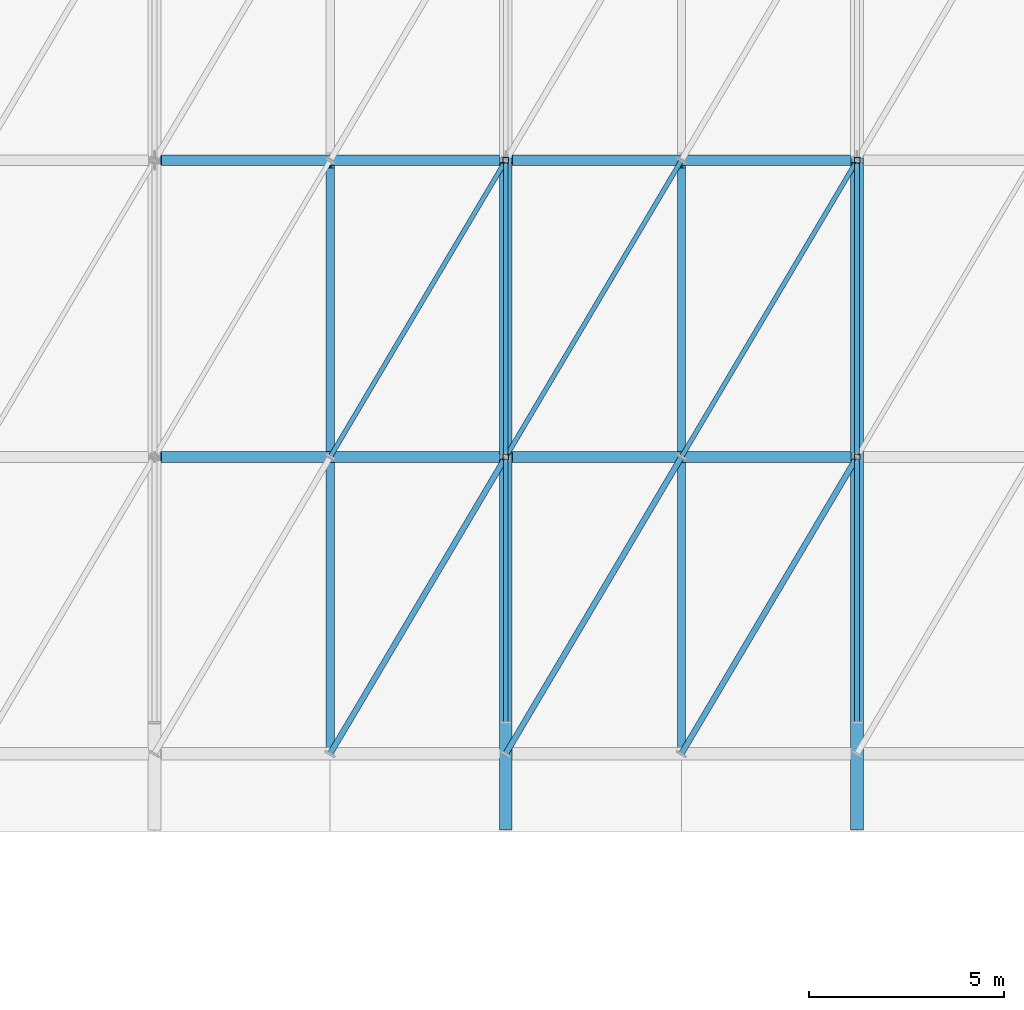
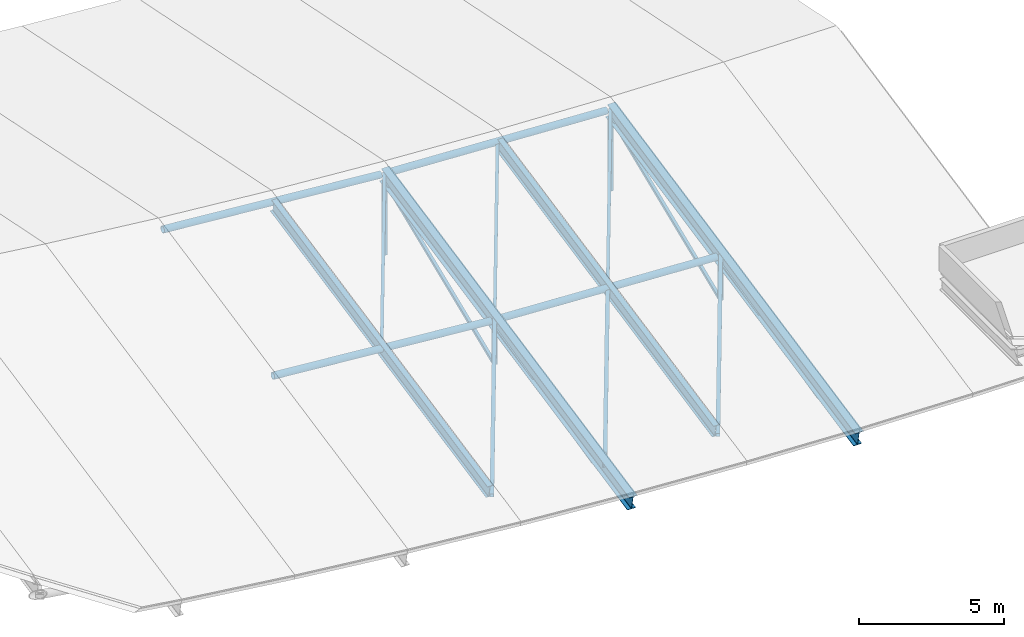
# One storey, part 9 of 21: 14 members, 8 beams.
"""IFC4 building model written with IfcOpenShell, lengths in metres."""

from ifc_helpers import new_model, si_unit, direction, frame, origin, origin_2d, place, context, subcontext, project, spatial, hollow_rectangle, hollow_circle, i_section, extrude, material, material_profile, profile_set, type_object, element, save


model = new_model("IFC4")

# Units and contexts
model_context = context("Model", 3, precision=1e-05, world=origin(), true_north=direction((0.0, 1.0)))
body_context = subcontext(model_context, "Body", "Model", "MODEL_VIEW")
ifc_project = project(units=[si_unit("LENGTHUNIT", "METRE"), si_unit("AREAUNIT", "SQUARE_METRE"), si_unit("VOLUMEUNIT", "CUBIC_METRE"), si_unit("PLANEANGLEUNIT", "RADIAN"), si_unit("MASSUNIT", "GRAM", prefix="KILO")], contexts=[model_context])

# Site, building, storey
site_placement = place(None, origin())
site = spatial("IfcSite", under=ifc_project, at=site_placement, CompositionType="ELEMENT")
building_placement = place(site_placement, origin())
building = spatial("IfcBuilding", under=site, at=building_placement, Name="Caisbarro Railhouse Central Library", CompositionType="ELEMENT")
storey_placement = place(building_placement, frame((0.0, 0.0, 26.639892578125)))
storey = spatial("IfcBuildingStorey", under=building, at=storey_placement, Name="RF", CompositionType="ELEMENT", Elevation=26.639892578125)

# Beams
ifc_material = material(Name="Steel ASTM A572 Grade 50", Category="steel")
ifc_material_profile_1 = material_profile(ifc_material, i_section(OverallWidth=0.324951171875, OverallDepth=0.615966796875, WebThickness=0.013916015625, FlangeThickness=0.021484375, FilletRadius=0.02197265625, at=origin_2d()), Name="W610X174.0")
ifc_profile_set_1 = profile_set([ifc_material_profile_1], Name="Steel ASTM A572 Grade 50")
beam_type_1 = type_object("IfcBeamType", Name="BM-G02", PredefinedType="BEAM", material=ifc_profile_set_1)
for number, where, z_axis, x_axis, name in (
    (1, (54.0, 28.5, -10.097412109375), (0.0, 0.979829500955, 0.199835304833), (-1.0, 0.0, 0.0), "V1 Gridshell South Rafter X=54"),
    (2, (63.0, 28.5, -10.54736328125), (0.0, 0.979829500955, 0.199835304833), (-1.0, 0.0, 0.0), "V1 Gridshell South Rafter X=63"),
):
    element("IfcBeam", number, at=place(storey_placement, frame(where, z_axis=z_axis, x_axis=x_axis)), inside=storey, type_object=beam_type_1, Name=name, PredefinedType="BEAM", context=body_context, shape_type="SweptSolid", body=[
        extrude(i_section(OverallWidth=0.324951171875, OverallDepth=0.615966796875, WebThickness=0.013916015625, FlangeThickness=0.021484375, FilletRadius=0.02197265625, at=origin_2d()), origin(), (0.0, 0.0, 1.0), 17.4521484375),
    ])
ifc_material_profile_2 = material_profile(ifc_material, i_section(OverallWidth=0.208984375, OverallDepth=0.532958984375, WebThickness=0.01025390625, FlangeThickness=0.015625, FilletRadius=0.02001953125, at=origin_2d()), Name="W530X92.0")
ifc_profile_set_2 = profile_set([ifc_material_profile_2], Name="Steel ASTM A572 Grade 50")
beam_type_2 = type_object("IfcBeamType", Name="BM-G06", PredefinedType="BEAM", material=ifc_profile_set_2)
for number, where, z_axis, x_axis, name in (
    (3, (49.5, 30.56494140625, -9.30126953125), (0.0, 0.979829287426, 0.199836351802), (-1.0, 0.0, 0.0), "V1 Gridshell Secondary Rafter South 6"),
    (4, (58.5, 30.56494140625, -9.901123046875), (0.0, 0.979832431979, 0.19982093294), (-1.0, 0.0, 0.0), "V1 Gridshell Secondary Rafter South 7"),
):
    element("IfcBeam", number, at=place(storey_placement, frame(where, z_axis=z_axis, x_axis=x_axis)), inside=storey, type_object=beam_type_2, Name=name, PredefinedType="BEAM", context=body_context, shape_type="SweptSolid", body=[
        extrude(i_section(OverallWidth=0.208984375, OverallDepth=0.532958984375, WebThickness=0.01025390625, FlangeThickness=0.015625, FilletRadius=0.02001953125, at=origin_2d()), origin(), (0.0, 0.0, 1.0), 15.20166015625),
    ])
ifc_material_profile_3 = material_profile(ifc_material, hollow_circle(Radius=0.136474609375, WallThickness=0.012451171875, at=origin_2d()), Name="CHS273.0X12.5")
ifc_profile_set_3 = profile_set([ifc_material_profile_3], Name="Steel ASTM A572 Grade 50")
beam_type_3 = type_object("IfcBeamType", Name="BM-RB02", PredefinedType="BEAM", material=ifc_profile_set_3)
for number, where, z_axis, x_axis, name in (
    (5, (45.1650390625, 38.0, -7.423583984375), (0.996546532333, 0.0, -0.083036190279), (0.0, 1.0, 0.0), "V1 Gridshell Longitudinal Chord Q106"),
    (6, (45.1650390625, 45.60009765625, -5.873779296875), (0.996546532333, 0.0, -0.083036190279), (0.0, 1.0, 0.0), "V1 Gridshell Longitudinal Chord M06"),
):
    element("IfcBeam", number, at=place(storey_placement, frame(where, z_axis=z_axis, x_axis=x_axis)), inside=storey, type_object=beam_type_3, Name=name, PredefinedType="BEAM", context=body_context, shape_type="SweptSolid", body=[
        extrude(hollow_circle(Radius=0.136474609375, WallThickness=0.012451171875, at=origin_2d()), origin(), (0.0, 0.0, 1.0), 8.699951171875),
    ])
for number, where, z_axis, x_axis, name in (
    (7, (54.1650390625, 38.0, -8.168212890625), (0.998753180363, 0.0, -0.049920784387), (0.0, 1.0, 0.0), "V1 Gridshell Longitudinal Chord Q107"),
    (8, (54.1650390625, 45.60009765625, -6.6181640625), (0.998751777731, 0.0, -0.049948838625), (0.0, 1.0, 0.0), "V1 Gridshell Longitudinal Chord M07"),
):
    element("IfcBeam", number, at=place(storey_placement, frame(where, z_axis=z_axis, x_axis=x_axis)), inside=storey, type_object=beam_type_3, Name=name, PredefinedType="BEAM", context=body_context, shape_type="SweptSolid", body=[
        extrude(hollow_circle(Radius=0.136474609375, WallThickness=0.012451171875, at=origin_2d()), origin(), (0.0, 0.0, 1.0), 8.6806640625),
    ])

# Members
ifc_material_profile_4 = material_profile(ifc_material, hollow_rectangle(XDim=0.14990234375, YDim=0.14990234375, WallThickness=0.010009765625, at=origin_2d()), Name="HSS150X150X10")
ifc_profile_set_4 = profile_set([ifc_material_profile_4], Name="Steel ASTM A572 Grade 50")
member_type_1 = type_object("IfcMemberType", Name="MEM-GS01", PredefinedType="STRUT", material=ifc_profile_set_4)
member_1_placement = place(storey_placement, frame((54.0, 38.0, -10.0078125), z_axis=(0.0, 0.0, 1.0), x_axis=(1.0, 0.0, 0.0)))
element("IfcMember", 9, at=member_1_placement, inside=storey, type_object=member_type_1, Name="V1 Gridshell QPS Strut 7", PredefinedType="STRUT", context=body_context, shape_type="SweptSolid", body=[
    extrude(hollow_rectangle(XDim=0.14990234375, YDim=0.14990234375, WallThickness=0.010009765625, at=origin_2d()), origin(), (0.0, 0.0, 1.0), 1.56494140625),
])
member_2_placement = place(storey_placement, frame((54.0, 45.60009765625, -10.0078125), z_axis=(0.0, 0.0, 1.0), x_axis=(1.0, 0.0, 0.0)))
element("IfcMember", 10, at=member_2_placement, inside=storey, type_object=member_type_1, Name="V1 Gridshell KP Strut 7", PredefinedType="STRUT", context=body_context, shape_type="SweptSolid", body=[
    extrude(hollow_rectangle(XDim=0.14990234375, YDim=0.14990234375, WallThickness=0.010009765625, at=origin_2d()), origin(), (0.0, 0.0, 1.0), 3.114990234375),
])
member_3_placement = place(storey_placement, frame((63.0, 38.0, -10.4580078125), z_axis=(0.0, 0.0, 1.0), x_axis=(1.0, 0.0, 0.0)))
element("IfcMember", 11, at=member_3_placement, inside=storey, type_object=member_type_1, Name="V1 Gridshell QPS Strut 8", PredefinedType="STRUT", context=body_context, shape_type="SweptSolid", body=[
    extrude(hollow_rectangle(XDim=0.14990234375, YDim=0.14990234375, WallThickness=0.010009765625, at=origin_2d()), origin(), (0.0, 0.0, 1.0), 1.565185546875),
])
member_4_placement = place(storey_placement, frame((63.0, 45.60009765625, -10.4580078125), z_axis=(0.0, 0.0, 1.0), x_axis=(1.0, 0.0, 0.0)))
element("IfcMember", 12, at=member_4_placement, inside=storey, type_object=member_type_1, Name="V1 Gridshell KP Strut 8", PredefinedType="STRUT", context=body_context, shape_type="SweptSolid", body=[
    extrude(hollow_rectangle(XDim=0.14990234375, YDim=0.14990234375, WallThickness=0.010009765625, at=origin_2d()), origin(), (0.0, 0.0, 1.0), 3.115234375),
])
member_5_placement = place(storey_placement, frame((49.5, 30.39990234375, -9.372314453125), z_axis=(0.504753976676, 0.852484336693, 0.135992200964), x_axis=(-0.860478259115, 0.509487159397, 0.0)))
element("IfcMember", 13, at=member_5_placement, inside=storey, type_object=member_type_1, Name="V1 Gridshell Diagonal Strut 45", PredefinedType="STRUT", context=body_context, shape_type="SweptSolid", body=[
    extrude(hollow_rectangle(XDim=0.14990234375, YDim=0.14990234375, WallThickness=0.010009765625, at=origin_2d()), origin(), (0.0, 0.0, 1.0), 8.915283203125),
])
member_6_placement = place(storey_placement, frame((54.0, 30.39990234375, -9.7099609375), z_axis=(0.504158115012, 0.851477979618, 0.144256179393), x_axis=(-0.860478259115, 0.509487159397, 0.0)))
element("IfcMember", 14, at=member_6_placement, inside=storey, type_object=member_type_1, Name="V1 Gridshell Diagonal Strut 49", PredefinedType="STRUT", context=body_context, shape_type="SweptSolid", body=[
    extrude(hollow_rectangle(XDim=0.14990234375, YDim=0.14990234375, WallThickness=0.010009765625, at=origin_2d()), origin(), (0.0, 0.0, 1.0), 8.92578125),
])
member_7_placement = place(storey_placement, frame((58.5, 30.39990234375, -9.972412109375), z_axis=(0.503530804724, 0.850418508629, 0.152463401756), x_axis=(-0.860478259115, 0.509487159397, 0.0)))
element("IfcMember", 15, at=member_7_placement, inside=storey, type_object=member_type_1, Name="V1 Gridshell Diagonal Strut 53", PredefinedType="STRUT", context=body_context, shape_type="SweptSolid", body=[
    extrude(hollow_rectangle(XDim=0.14990234375, YDim=0.14990234375, WallThickness=0.010009765625, at=origin_2d()), origin(), (0.0, 0.0, 1.0), 8.93701171875),
])
ifc_material_profile_5 = material_profile(ifc_material, hollow_rectangle(XDim=0.1201171875, YDim=0.1201171875, WallThickness=0.008056640625, at=origin_2d()), Name="HSS120X120X8")
ifc_profile_set_5 = profile_set([ifc_material_profile_5], Name="Steel ASTM A572 Grade 50")
member_type_2 = type_object("IfcMemberType", Name="MEM-GS02", PredefinedType="STRUT", material=ifc_profile_set_5)
member_8_placement = place(storey_placement, frame((54.0, 31.199951171875, -10.0078125), z_axis=(0.0, 0.974526058673, 0.224274298499), x_axis=(-1.0, 0.0, 0.0)))
element("IfcMember", 16, at=member_8_placement, inside=storey, type_object=member_type_2, Name="V1 Gridshell Truss Web DS1 7", PredefinedType="STRUT", context=body_context, shape_type="SweptSolid", body=[
    extrude(hollow_rectangle(XDim=0.1201171875, YDim=0.1201171875, WallThickness=0.008056640625, at=origin_2d()), origin(), (0.0, 0.0, 1.0), 6.977783203125),
])
member_9_placement = place(storey_placement, frame((54.0, 38.0, -10.0078125), z_axis=(0.0, 0.925296760282, 0.379243860085), x_axis=(-1.0, 0.0, 0.0)))
element("IfcMember", 17, at=member_9_placement, inside=storey, type_object=member_type_2, Name="V1 Gridshell Truss Web DS2 7", PredefinedType="STRUT", context=body_context, shape_type="SweptSolid", body=[
    extrude(hollow_rectangle(XDim=0.1201171875, YDim=0.1201171875, WallThickness=0.008056640625, at=origin_2d()), origin(), (0.0, 0.0, 1.0), 8.213623046875),
])
member_10_placement = place(storey_placement, frame((63.0, 31.199951171875, -10.4580078125), z_axis=(0.0, 0.974518411108, 0.224307526428), x_axis=(-1.0, 0.0, 0.0)))
element("IfcMember", 18, at=member_10_placement, inside=storey, type_object=member_type_2, Name="V1 Gridshell Truss Web DS1 8", PredefinedType="STRUT", context=body_context, shape_type="SweptSolid", body=[
    extrude(hollow_rectangle(XDim=0.1201171875, YDim=0.1201171875, WallThickness=0.008056640625, at=origin_2d()), origin(), (0.0, 0.0, 1.0), 6.977783203125),
])
member_11_placement = place(storey_placement, frame((63.0, 38.0, -10.4580078125), z_axis=(0.0, 0.925286329636, 0.379269308261), x_axis=(-1.0, 0.0, 0.0)))
element("IfcMember", 19, at=member_11_placement, inside=storey, type_object=member_type_2, Name="V1 Gridshell Truss Web DS2 8", PredefinedType="STRUT", context=body_context, shape_type="SweptSolid", body=[
    extrude(hollow_rectangle(XDim=0.1201171875, YDim=0.1201171875, WallThickness=0.008056640625, at=origin_2d()), origin(), (0.0, 0.0, 1.0), 8.2138671875),
])
member_12_placement = place(storey_placement, frame((49.5, 38.0, -7.822509765625), z_axis=(0.504752096743, 0.852481161654, 0.136019079021), x_axis=(-0.860478259115, 0.509487159397, 0.0)))
element("IfcMember", 20, at=member_12_placement, inside=storey, type_object=member_type_2, Name="V1 Gridshell Diagonal Strut 46", PredefinedType="STRUT", context=body_context, shape_type="SweptSolid", body=[
    extrude(hollow_rectangle(XDim=0.1201171875, YDim=0.1201171875, WallThickness=0.008056640625, at=origin_2d()), origin(), (0.0, 0.0, 1.0), 8.915283203125),
])
member_13_placement = place(storey_placement, frame((54.0, 38.0, -8.159912109375), z_axis=(0.504158115012, 0.851477979618, 0.144256179393), x_axis=(-0.860478259115, 0.509487159397, 0.0)))
element("IfcMember", 21, at=member_13_placement, inside=storey, type_object=member_type_2, Name="V1 Gridshell Diagonal Strut 50", PredefinedType="STRUT", context=body_context, shape_type="SweptSolid", body=[
    extrude(hollow_rectangle(XDim=0.1201171875, YDim=0.1201171875, WallThickness=0.008056640625, at=origin_2d()), origin(), (0.0, 0.0, 1.0), 8.92578125),
])
member_14_placement = place(storey_placement, frame((58.5, 38.0, -8.42236328125), z_axis=(0.503530804724, 0.850418508629, 0.152463401756), x_axis=(-0.860478259115, 0.509487159397, 0.0)))
element("IfcMember", 22, at=member_14_placement, inside=storey, type_object=member_type_2, Name="V1 Gridshell Diagonal Strut 54", PredefinedType="STRUT", context=body_context, shape_type="SweptSolid", body=[
    extrude(hollow_rectangle(XDim=0.1201171875, YDim=0.1201171875, WallThickness=0.008056640625, at=origin_2d()), origin(), (0.0, 0.0, 1.0), 8.93701171875),
])

save(model, "model.ifc")
